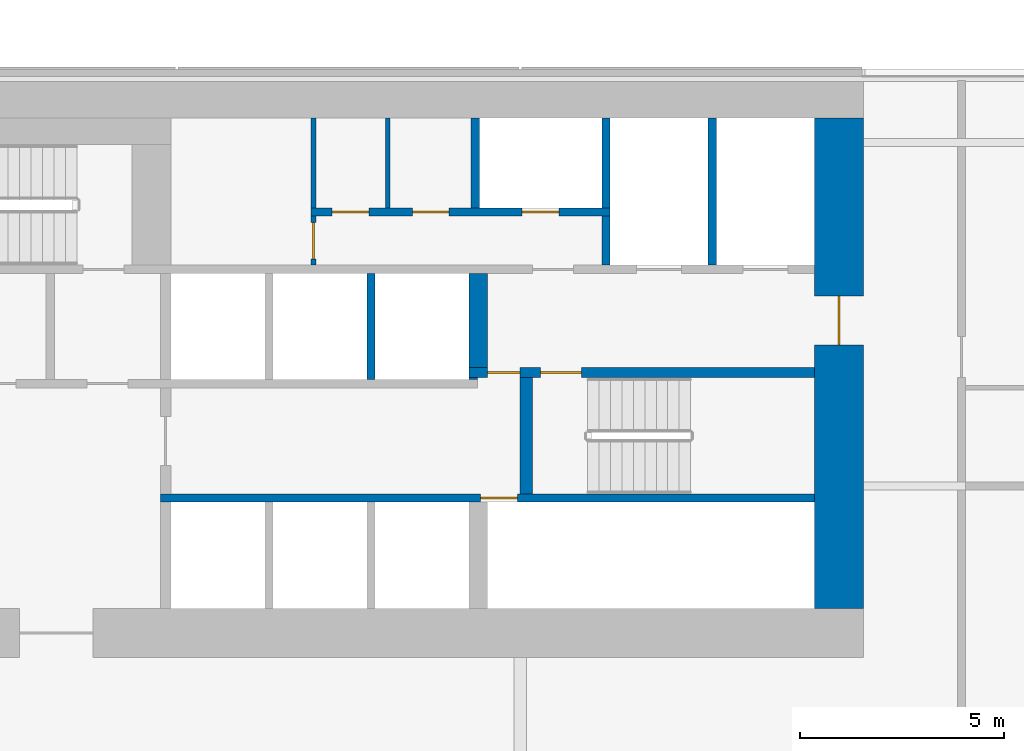
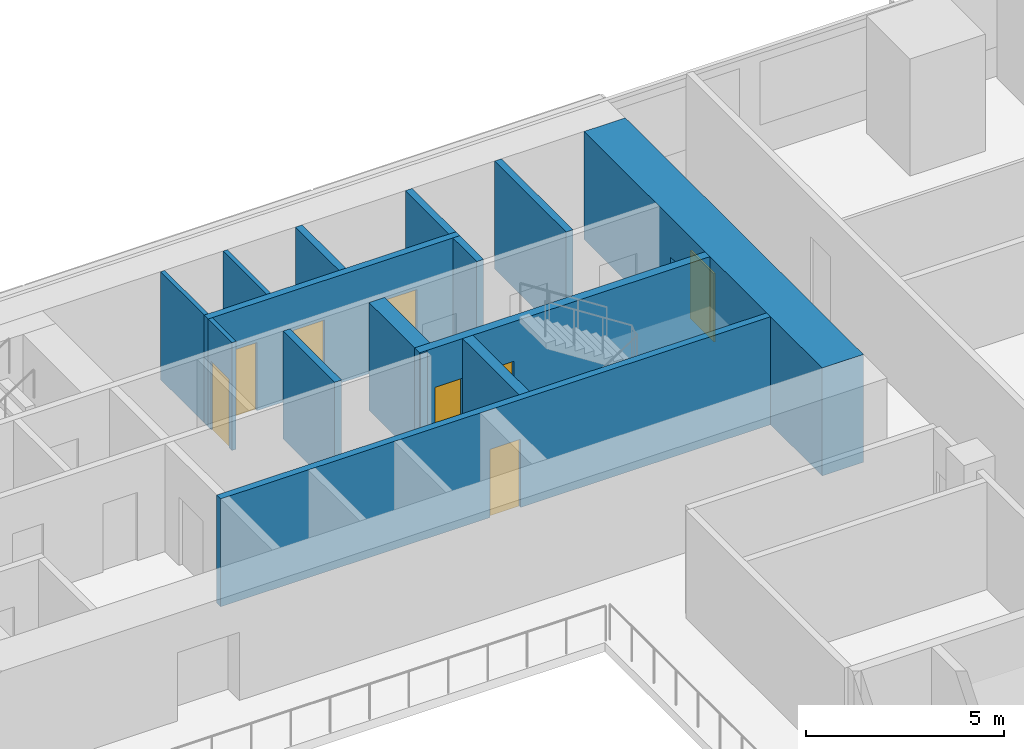
# One storey, part 22 of 27: 15 walls, 8 doors, 8 openings.
"""IFC4 building model written with IfcOpenShell, lengths in metres."""

from ifc_helpers import new_model, si_unit, direction, frame, frame_2d, origin, place, context, subcontext, project, spatial, rectangle, extrude, material, layer, layer_set, type_object, element, fill, save


model = new_model("IFC4")

# Units and contexts
model_context = context("Model", 3, precision=1e-05, world=origin(), true_north=direction((0.0, 1.0)))
body_context = subcontext(model_context, "Body", "Model", "MODEL_VIEW")
ifc_project = project(units=[si_unit("LENGTHUNIT", "METRE"), si_unit("AREAUNIT", "SQUARE_METRE"), si_unit("VOLUMEUNIT", "CUBIC_METRE"), si_unit("PLANEANGLEUNIT", "RADIAN"), si_unit("MASSUNIT", "GRAM", prefix="KILO")], contexts=[model_context])

# Site, building, storey
site_placement = place(None, origin())
site = spatial("IfcSite", under=ifc_project, at=site_placement, CompositionType="ELEMENT")
building_placement = place(site_placement, origin())
building = spatial("IfcBuilding", under=site, at=building_placement, Name="Saffron Gate Tower", CompositionType="ELEMENT")
storey_placement = place(building_placement, frame((0.0, 0.0, 66.0)))
storey = spatial("IfcBuildingStorey", under=building, at=storey_placement, Name="L15", CompositionType="ELEMENT", Elevation=66.0)

# Wall, opening, door
ifc_material_1 = material(Name="Concrete C70", Category="concrete")
ifc_layer_1 = layer(ifc_material_1, 1.199951171875)
ifc_layer_set_1 = layer_set([ifc_layer_1], Name="CW1 RC core wall 1200 C70")
wall_type_1 = type_object("IfcWallType", Name="CW1 RC core wall 1200 C70", PredefinedType="SOLIDWALL", material=ifc_layer_set_1)
wall_1_placement = place(storey_placement, frame((108.0, 62.39990234375, 0.0), z_axis=(0.0, 0.0, 1.0), x_axis=(0.0, 1.0, 0.0)))
wall_1 = element("IfcWall", 1, at=wall_1_placement, inside=storey, type_object=wall_type_1, Name="Wall CW1-L15-4", PredefinedType="SOLIDWALL", context=body_context, shape_type="SweptSolid", body=[
    extrude(rectangle(XDim=12.0, YDim=1.199951171875, at=frame_2d((6.0, 0.0))), origin(), (0.0, 0.0, 1.0), 3.320068359375),
])
opening_1_placement = place(wall_1_placement, frame((6.449951171875, 0.0, 0.0)))
opening_1 = element("IfcOpeningElement", 2, at=opening_1_placement, cuts=wall_1, Name="Opening CR-08", PredefinedType="OPENING", context=body_context, shape_type="SweptSolid", body=[
    extrude(rectangle(XDim=1.199951171875, YDim=2.10009765625, at=frame_2d((0.60009765625, 1.050048828125))), frame((0.0, 0.60986328125, 0.0), z_axis=(0.0, -1.0, 0.0), x_axis=(1.0, 0.0, 0.0)), (0.0, 0.0, 1.0), 1.219970703125),
])
ifc_material_2 = material(Name="Steel fire door set", Category="steel")
door_type_1 = type_object("IfcDoorType", Name="CD7 Core entrance door 1200x2100 EI 120", OperationType="NOTDEFINED", PredefinedType="DOOR", material=ifc_material_2)
door_1_placement = place(opening_1_placement, origin())
door_1 = element("IfcDoor", 3, at=door_1_placement, inside=storey, type_object=door_type_1, Name="DOOR CR-08", OperationType="SINGLE_SWING_RIGHT", OverallHeight=2.10009765625, OverallWidth=1.199951171875, PredefinedType="DOOR", context=body_context, shape_type="SweptSolid", body=[
    extrude(rectangle(XDim=1.199951171875, YDim=2.10009765625, at=frame_2d((0.60009765625, 1.050048828125))), frame((0.0, 0.02490234375, 0.0), z_axis=(0.0, -1.0, 0.0), x_axis=(1.0, 0.0, 0.0)), (0.0, 0.0, 1.0), 0.050048828125),
])
fill(opening_1, door_1)

# Wall, openings, doors
ifc_layer_2 = layer(ifc_material_1, 0.25)
ifc_layer_set_2 = layer_set([ifc_layer_2], Name="CW2 RC core wall 250 C70")
wall_type_2 = type_object("IfcWallType", Name="CW2 RC core wall 250 C70", PredefinedType="SOLIDWALL", material=ifc_layer_set_2)
wall_2_placement = place(storey_placement, frame((98.949951171875, 68.175048828125, 0.0), z_axis=(0.0, 0.0, 1.0), x_axis=(1.0, 0.0, 0.0)))
wall_2 = element("IfcWall", 4, at=wall_2_placement, inside=storey, type_object=wall_type_2, Name="Wall CW2-L15-31", PredefinedType="SOLIDWALL", context=body_context, shape_type="SweptSolid", body=[
    extrude(rectangle(XDim=8.449951171875, YDim=0.25, at=frame_2d((4.22509765625, 0.0))), origin(), (0.0, 0.0, 1.0), 3.320068359375),
])
opening_2_placement = place(wall_2_placement, frame((0.449951171875, 0.0, 0.0)))
opening_2 = element("IfcOpeningElement", 5, at=opening_2_placement, cuts=wall_2, Name="Opening CR-05", PredefinedType="OPENING", context=body_context, shape_type="SweptSolid", body=[
    extrude(rectangle(XDim=0.800048828125, YDim=2.10009765625, at=frame_2d((0.39990234375, 1.050048828125))), frame((0.0, 0.135009765625, 0.0), z_axis=(0.0, -1.0, 0.0), x_axis=(1.0, 0.0, 0.0)), (0.0, 0.0, 1.0), 0.27001953125),
])
opening_3_placement = place(wall_2_placement, frame((1.75, 0.0, 0.0)))
opening_3 = element("IfcOpeningElement", 6, at=opening_3_placement, cuts=wall_2, Name="Opening CR-16", PredefinedType="OPENING", context=body_context, shape_type="SweptSolid", body=[
    extrude(rectangle(XDim=1.0, YDim=2.10009765625, at=frame_2d((0.5, 1.050048828125))), frame((0.0, 0.135009765625, 0.0), z_axis=(0.0, -1.0, 0.0), x_axis=(1.0, 0.0, 0.0)), (0.0, 0.0, 1.0), 0.27001953125),
])
door_type_2 = type_object("IfcDoorType", Name="CD5 Stair door 1000x2100 EI 120", OperationType="NOTDEFINED", PredefinedType="DOOR", material=ifc_material_2)
door_2_placement = place(opening_3_placement, origin())
door_2 = element("IfcDoor", 7, at=door_2_placement, inside=storey, type_object=door_type_2, Name="DOOR CR-16", OperationType="SINGLE_SWING_RIGHT", OverallHeight=2.10009765625, OverallWidth=1.0, PredefinedType="DOOR", context=body_context, shape_type="SweptSolid", body=[
    extrude(rectangle(XDim=1.0, YDim=2.10009765625, at=frame_2d((0.5, 1.050048828125))), frame((0.0, 0.02490234375, 0.0), z_axis=(0.0, -1.0, 0.0), x_axis=(1.0, 0.0, 0.0)), (0.0, 0.0, 1.0), 0.050048828125),
])
fill(opening_3, door_2)
door_type_3 = type_object("IfcDoorType", Name="CD6 Lobby door 800x2100 EI 120", OperationType="NOTDEFINED", PredefinedType="DOOR", material=ifc_material_2)
door_3_placement = place(opening_2_placement, origin())
door_3 = element("IfcDoor", 8, at=door_3_placement, inside=storey, type_object=door_type_3, Name="DOOR CR-05", OperationType="SINGLE_SWING_LEFT", OverallHeight=2.10009765625, OverallWidth=0.800048828125, PredefinedType="DOOR", context=body_context, shape_type="SweptSolid", body=[
    extrude(rectangle(XDim=0.800048828125, YDim=2.10009765625, at=frame_2d((0.39990234375, 1.050048828125))), frame((0.0, 0.02490234375, 0.0), z_axis=(0.0, -1.0, 0.0), x_axis=(1.0, 0.0, 0.0)), (0.0, 0.0, 1.0), 0.050048828125),
])
fill(opening_2, door_3)

# Wall, opening, door
ifc_layer_3 = layer(ifc_material_1, 0.199951171875)
ifc_layer_set_3 = layer_set([ifc_layer_3], Name="CW3 RC core wall 200 C70")
wall_type_3 = type_object("IfcWallType", Name="CW3 RC core wall 200 C70", PredefinedType="SOLIDWALL", material=ifc_layer_set_3)
wall_3_placement = place(storey_placement, frame((91.39990234375, 65.10009765625, 0.0), z_axis=(0.0, 0.0, 1.0), x_axis=(1.0, 0.0, 0.0)))
wall_3 = element("IfcWall", 9, at=wall_3_placement, inside=storey, type_object=wall_type_3, Name="Wall CW3-L15-15", PredefinedType="SOLIDWALL", context=body_context, shape_type="SweptSolid", body=[
    extrude(rectangle(XDim=16.0, YDim=0.199951171875, at=frame_2d((8.0, 0.0))), origin(), (0.0, 0.0, 1.0), 3.320068359375),
])
opening_4_placement = place(wall_3_placement, frame((7.830078125, 0.0, 0.0)))
opening_4 = element("IfcOpeningElement", 10, at=opening_4_placement, cuts=wall_3, Name="Opening CR-48", PredefinedType="OPENING", context=body_context, shape_type="SweptSolid", body=[
    extrude(rectangle(XDim=0.89990234375, YDim=2.10009765625, at=frame_2d((0.449951171875, 1.050048828125))), frame((0.0, 0.10986328125, 0.0), z_axis=(0.0, -1.0, 0.0), x_axis=(1.0, 0.0, 0.0)), (0.0, 0.0, 1.0), 0.219970703125),
])
door_type_4 = type_object("IfcDoorType", Name="CD2 Riser door 900x2100 EI 60", OperationType="NOTDEFINED", PredefinedType="DOOR", material=ifc_material_2)
door_4_placement = place(opening_4_placement, origin())
door_4 = element("IfcDoor", 11, at=door_4_placement, inside=storey, type_object=door_type_4, Name="DOOR CR-48", OperationType="SINGLE_SWING_RIGHT", OverallHeight=2.10009765625, OverallWidth=0.89990234375, PredefinedType="DOOR", context=body_context, shape_type="SweptSolid", body=[
    extrude(rectangle(XDim=0.89990234375, YDim=2.10009765625, at=frame_2d((0.449951171875, 1.050048828125))), frame((0.0, 0.02490234375, 0.0), z_axis=(0.0, -1.0, 0.0), x_axis=(1.0, 0.0, 0.0)), (0.0, 0.0, 1.0), 0.050048828125),
])
fill(opening_4, door_4)

# Walls
wall_4_placement = place(storey_placement, frame((96.550048828125, 68.0, 0.0), z_axis=(0.0, 0.0, 1.0), x_axis=(0.0, 1.0, 0.0)))
element("IfcWall", 12, at=wall_4_placement, inside=storey, type_object=wall_type_3, Name="Wall CW3-L15-28", PredefinedType="SOLIDWALL", context=body_context, shape_type="SweptSolid", body=[
    extrude(rectangle(XDim=2.60009765625, YDim=0.199951171875, at=frame_2d((1.300048828125, 0.0))), origin(), (0.0, 0.0, 1.0), 3.320068359375),
])
wall_5_placement = place(storey_placement, frame((102.300048828125, 70.800048828125, 0.0), z_axis=(0.0, 0.0, 1.0), x_axis=(0.0, 1.0, 0.0)))
element("IfcWall", 13, at=wall_5_placement, inside=storey, type_object=wall_type_3, Name="Wall CW3-L15-41", PredefinedType="SOLIDWALL", context=body_context, shape_type="SweptSolid", body=[
    extrude(rectangle(XDim=1.199951171875, YDim=0.199951171875, at=frame_2d((0.60009765625, 0.0))), origin(), (0.0, 0.0, 1.0), 3.320068359375),
])
wall_6_placement = place(storey_placement, frame((104.89990234375, 70.800048828125, 0.0), z_axis=(0.0, 0.0, 1.0), x_axis=(0.0, 1.0, 0.0)))
element("IfcWall", 14, at=wall_6_placement, inside=storey, type_object=wall_type_3, Name="Wall CW3-L15-42", PredefinedType="SOLIDWALL", context=body_context, shape_type="SweptSolid", body=[
    extrude(rectangle(XDim=3.599853515625, YDim=0.199951171875, at=frame_2d((1.7998046875, 0.0))), origin(), (0.0, 0.0, 1.0), 3.320068359375),
])

# Wall, openings, doors
wall_7_placement = place(storey_placement, frame((95.080078125, 72.10009765625, 0.0), z_axis=(0.0, 0.0, 1.0), x_axis=(1.0, 0.0, 0.0)))
wall_7 = element("IfcWall", 15, at=wall_7_placement, inside=storey, type_object=wall_type_3, Name="Wall CW3-L15-44", PredefinedType="SOLIDWALL", context=body_context, shape_type="SweptSolid", body=[
    extrude(rectangle(XDim=7.31982421875, YDim=0.199951171875, at=frame_2d((3.659912109375, 0.0))), origin(), (0.0, 0.0, 1.0), 3.320068359375),
])
opening_5_placement = place(wall_7_placement, frame((0.52001953125, 0.0, 0.0)))
opening_5 = element("IfcOpeningElement", 16, at=opening_5_placement, cuts=wall_7, Name="Opening CR-50", PredefinedType="OPENING", context=body_context, shape_type="SweptSolid", body=[
    extrude(rectangle(XDim=0.89990234375, YDim=2.10009765625, at=frame_2d((0.449951171875, 1.050048828125))), frame((0.0, 0.10986328125, 0.0), z_axis=(0.0, -1.0, 0.0), x_axis=(1.0, 0.0, 0.0)), (0.0, 0.0, 1.0), 0.219970703125),
])
opening_6_placement = place(wall_7_placement, frame((2.47998046875, 0.0, 0.0)))
opening_6 = element("IfcOpeningElement", 17, at=opening_6_placement, cuts=wall_7, Name="Opening CR-53", PredefinedType="OPENING", context=body_context, shape_type="SweptSolid", body=[
    extrude(rectangle(XDim=0.89990234375, YDim=2.10009765625, at=frame_2d((0.449951171875, 1.050048828125))), frame((0.0, 0.10986328125, 0.0), z_axis=(0.0, -1.0, 0.0), x_axis=(1.0, 0.0, 0.0)), (0.0, 0.0, 1.0), 0.219970703125),
])
opening_7_placement = place(wall_7_placement, frame((5.169921875, 0.0, 0.0)))
opening_7 = element("IfcOpeningElement", 18, at=opening_7_placement, cuts=wall_7, Name="Opening CR-70", PredefinedType="OPENING", context=body_context, shape_type="SweptSolid", body=[
    extrude(rectangle(XDim=0.89990234375, YDim=2.10009765625, at=frame_2d((0.449951171875, 1.050048828125))), frame((0.0, 0.10986328125, 0.0), z_axis=(0.0, -1.0, 0.0), x_axis=(1.0, 0.0, 0.0)), (0.0, 0.0, 1.0), 0.219970703125),
])
door_5_placement = place(opening_7_placement, origin())
door_5 = element("IfcDoor", 19, at=door_5_placement, inside=storey, type_object=door_type_4, Name="DOOR CR-70", OperationType="SINGLE_SWING_LEFT", OverallHeight=2.10009765625, OverallWidth=0.89990234375, PredefinedType="DOOR", context=body_context, shape_type="SweptSolid", body=[
    extrude(rectangle(XDim=0.89990234375, YDim=2.10009765625, at=frame_2d((0.449951171875, 1.050048828125))), frame((0.0, 0.02490234375, 0.0), z_axis=(0.0, -1.0, 0.0), x_axis=(1.0, 0.0, 0.0)), (0.0, 0.0, 1.0), 0.050048828125),
])
fill(opening_7, door_5)
door_type_5 = type_object("IfcDoorType", Name="CD9 Room door 900x2100 EI 60", OperationType="NOTDEFINED", PredefinedType="DOOR", material=ifc_material_2)
door_6_placement = place(opening_5_placement, origin())
door_6 = element("IfcDoor", 20, at=door_6_placement, inside=storey, type_object=door_type_5, Name="DOOR CR-50", OperationType="SINGLE_SWING_LEFT", OverallHeight=2.10009765625, OverallWidth=0.89990234375, PredefinedType="DOOR", context=body_context, shape_type="SweptSolid", body=[
    extrude(rectangle(XDim=0.89990234375, YDim=2.10009765625, at=frame_2d((0.449951171875, 1.050048828125))), frame((0.0, 0.02490234375, 0.0), z_axis=(0.0, -1.0, 0.0), x_axis=(1.0, 0.0, 0.0)), (0.0, 0.0, 1.0), 0.050048828125),
])
fill(opening_5, door_6)
door_7_placement = place(opening_6_placement, origin())
door_7 = element("IfcDoor", 21, at=door_7_placement, inside=storey, type_object=door_type_5, Name="DOOR CR-53", OperationType="SINGLE_SWING_LEFT", OverallHeight=2.10009765625, OverallWidth=0.89990234375, PredefinedType="DOOR", context=body_context, shape_type="SweptSolid", body=[
    extrude(rectangle(XDim=0.89990234375, YDim=2.10009765625, at=frame_2d((0.449951171875, 1.050048828125))), frame((0.0, 0.02490234375, 0.0), z_axis=(0.0, -1.0, 0.0), x_axis=(1.0, 0.0, 0.0)), (0.0, 0.0, 1.0), 0.050048828125),
])
fill(opening_6, door_7)

# Walls
for number, where, z_axis, x_axis, name in (
    (22, (99.10009765625, 72.199951171875, 0.0), (0.0, 0.0, 1.0), (0.0, 1.0, 0.0), "Wall CW3-L15-51"),
    (23, (102.300048828125, 72.199951171875, 0.0), (0.0, 0.0, 1.0), (0.0, 1.0, 0.0), "Wall CW3-L15-52"),
):
    element("IfcWall", number, at=place(storey_placement, frame(where, z_axis=z_axis, x_axis=x_axis)), inside=storey, type_object=wall_type_3, Name=name, PredefinedType="SOLIDWALL", context=body_context, shape_type="SweptSolid", body=[
        extrude(rectangle(XDim=2.199951171875, YDim=0.199951171875, at=frame_2d((1.10009765625, 0.0))), origin(), (0.0, 0.0, 1.0), 3.320068359375),
    ])
ifc_layer_4 = layer(ifc_material_1, 0.449951171875)
ifc_layer_set_4 = layer_set([ifc_layer_4], Name="CW4 RC core wall 450 C70")
wall_type_4 = type_object("IfcWallType", Name="CW4 RC core wall 450 C70", PredefinedType="SOLIDWALL", material=ifc_layer_set_4)
wall_8_placement = place(storey_placement, frame((99.175048828125, 68.300048828125, 0.0), z_axis=(0.0, 0.0, 1.0), x_axis=(0.0, 1.0, 0.0)))
element("IfcWall", 24, at=wall_8_placement, inside=storey, type_object=wall_type_4, Name="Wall CW4-L15-33", PredefinedType="SOLIDWALL", context=body_context, shape_type="SweptSolid", body=[
    extrude(rectangle(XDim=2.300048828125, YDim=0.449951171875, at=frame_2d((1.14990234375, 0.0))), origin(), (0.0, 0.0, 1.0), 3.320068359375),
])
ifc_layer_5 = layer(ifc_material_1, 0.300048828125)
ifc_layer_set_5 = layer_set([ifc_layer_5], Name="CW5 RC core wall 300 C70")
wall_type_5 = type_object("IfcWallType", Name="CW5 RC core wall 300 C70", PredefinedType="SOLIDWALL", material=ifc_layer_set_5)
wall_9_placement = place(storey_placement, frame((100.35009765625, 65.199951171875, 0.0), z_axis=(0.0, 0.0, 1.0), x_axis=(0.0, 1.0, 0.0)))
element("IfcWall", 25, at=wall_9_placement, inside=storey, type_object=wall_type_5, Name="Wall CW5-L15-19", PredefinedType="SOLIDWALL", context=body_context, shape_type="SweptSolid", body=[
    extrude(rectangle(XDim=2.85009765625, YDim=0.300048828125, at=frame_2d((1.425048828125, 0.0))), origin(), (0.0, 0.0, 1.0), 3.320068359375),
])
ifc_layer_6 = layer(ifc_material_1, 0.050048828125)
ifc_layer_set_6 = layer_set([ifc_layer_6], Name="CW6 RC core wall 50 C70")
wall_type_6 = type_object("IfcWallType", Name="CW6 RC core wall 50 C70", PredefinedType="SOLIDWALL", material=ifc_layer_set_6)
wall_10_placement = place(storey_placement, frame((98.949951171875, 68.02490234375, 0.0), z_axis=(0.0, 0.0, 1.0), x_axis=(1.0, 0.0, 0.0)))
element("IfcWall", 26, at=wall_10_placement, inside=storey, type_object=wall_type_6, Name="Wall CW6-L15-29", PredefinedType="SOLIDWALL", context=body_context, shape_type="SweptSolid", body=[
    extrude(rectangle(XDim=0.199951171875, YDim=0.050048828125, at=frame_2d((0.10009765625, 0.0))), origin(), (0.0, 0.0, 1.0), 3.320068359375),
])

# Wall, opening, door
ifc_material_3 = material(Name="Gypsum board partition on steel studs", Category="steel")
ifc_layer_7 = layer(ifc_material_3, 0.1201171875)
ifc_layer_set_7 = layer_set([ifc_layer_7], Name="CW8 Core partition 120")
wall_type_7 = type_object("IfcWallType", Name="CW8 Core partition 120", PredefinedType="PARTITIONING", material=ifc_layer_set_7)
wall_11_placement = place(storey_placement, frame((95.139892578125, 70.800048828125, 0.0), z_axis=(0.0, 0.0, 1.0), x_axis=(0.0, 1.0, 0.0)))
wall_11 = element("IfcWall", 27, at=wall_11_placement, inside=storey, type_object=wall_type_7, Name="Wall CW8-L15-40", PredefinedType="PARTITIONING", context=body_context, shape_type="SweptSolid", body=[
    extrude(rectangle(XDim=1.199951171875, YDim=0.1201171875, at=frame_2d((0.60009765625, 0.0))), origin(), (0.0, 0.0, 1.0), 3.320068359375),
])
opening_8_placement = place(wall_11_placement, frame((0.14990234375, 0.0, 0.0)))
opening_8 = element("IfcOpeningElement", 28, at=opening_8_placement, cuts=wall_11, Name="Opening CR-54", PredefinedType="OPENING", context=body_context, shape_type="SweptSolid", body=[
    extrude(rectangle(XDim=0.89990234375, YDim=2.10009765625, at=frame_2d((0.449951171875, 1.050048828125))), frame((0.0, 0.070068359375, 0.0), z_axis=(0.0, -1.0, 0.0), x_axis=(1.0, 0.0, 0.0)), (0.0, 0.0, 1.0), 0.14013671875),
])
door_8_placement = place(opening_8_placement, origin())
door_8 = element("IfcDoor", 29, at=door_8_placement, inside=storey, type_object=door_type_5, Name="DOOR CR-54", OperationType="SINGLE_SWING_LEFT", OverallHeight=2.10009765625, OverallWidth=0.89990234375, PredefinedType="DOOR", context=body_context, shape_type="SweptSolid", body=[
    extrude(rectangle(XDim=0.89990234375, YDim=2.10009765625, at=frame_2d((0.449951171875, 1.050048828125))), frame((0.0, 0.02490234375, 0.0), z_axis=(0.0, -1.0, 0.0), x_axis=(1.0, 0.0, 0.0)), (0.0, 0.0, 1.0), 0.050048828125),
])
fill(opening_8, door_8)

# Walls
for number, where, z_axis, x_axis, name in (
    (30, (95.139892578125, 72.199951171875, 0.0), (0.0, 0.0, 1.0), (0.0, 1.0, 0.0), "Wall CW8-L15-49"),
    (31, (96.9599609375, 72.199951171875, 0.0), (0.0, 0.0, 1.0), (0.0, 1.0, 0.0), "Wall CW8-L15-50"),
):
    element("IfcWall", number, at=place(storey_placement, frame(where, z_axis=z_axis, x_axis=x_axis)), inside=storey, type_object=wall_type_7, Name=name, PredefinedType="PARTITIONING", context=body_context, shape_type="SweptSolid", body=[
        extrude(rectangle(XDim=2.199951171875, YDim=0.1201171875, at=frame_2d((1.10009765625, 0.0))), origin(), (0.0, 0.0, 1.0), 3.320068359375),
    ])

save(model, "model.ifc")
